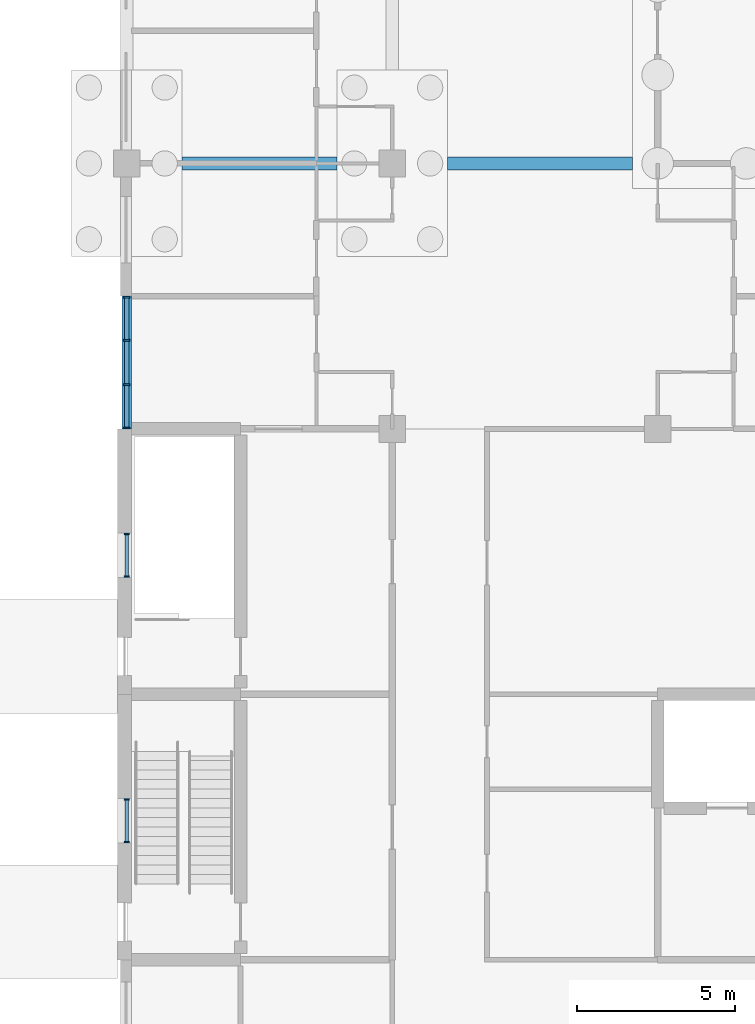
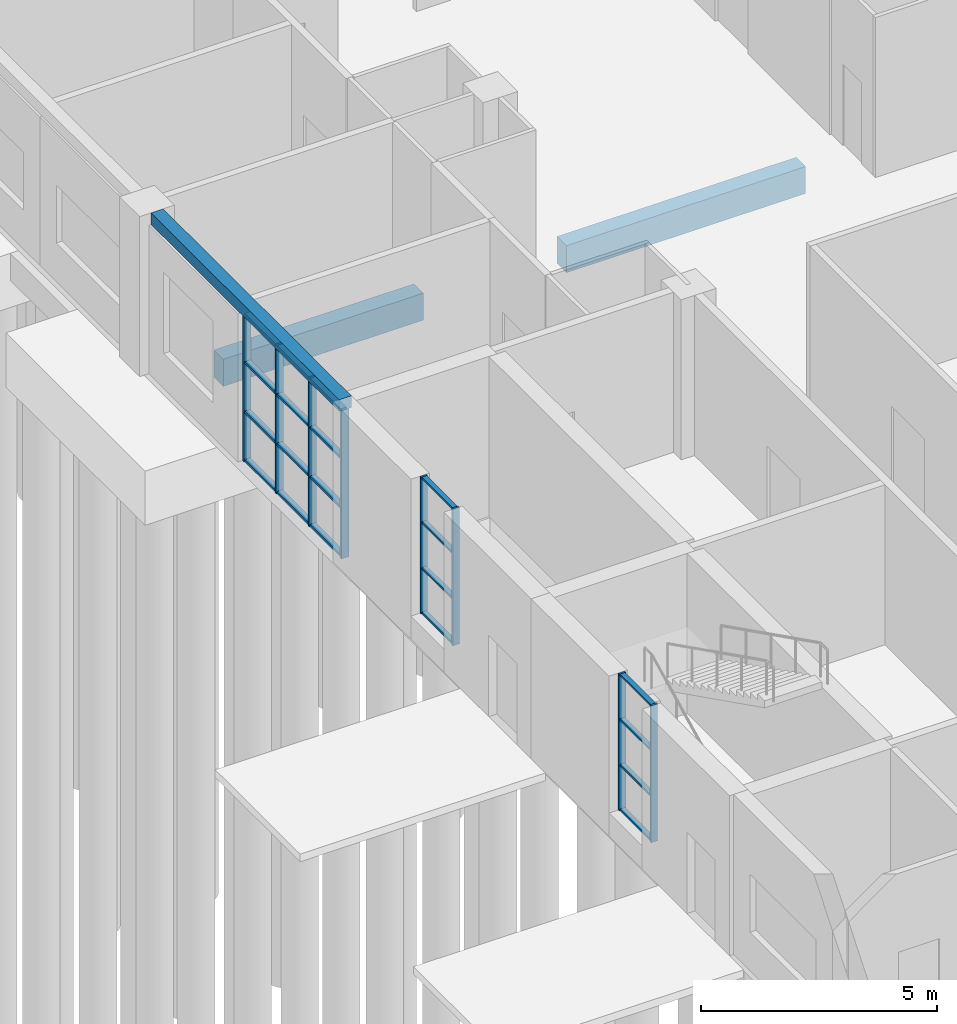
# One storey, part 31 of 138: 28 members, 3 beams, 3 elements without a shape of their own.
"""IFC4 building model written with IfcOpenShell, lengths in metres."""

import ifcopenshell
import ifcopenshell.guid

model = None  # the IFC model being written
_history = None  # IfcOwnerHistory: only IFC2X3 demands one
_inside = {}  # id of a spatial element -> (the spatial element, [elements in it])
_under = {}  # id of a project, library or spatial element -> (it, [spatial elements below it])
_declared = {}  # id of a project -> (the project, [libraries it declares])
_typed = {}  # id of a type object -> (the type object, [elements of that type])
_made_of = {}  # id of a material, layer set ... -> (it, [elements and type objects made of it])


def new_model(schema):
    """Start an empty IFC model of exactly this schema.

    Asked for "IFC4X3", IfcOpenShell would pick the latest addendum, in which some entities
    have other attributes; the version numbers below select the first issue.
    IFC2X3 requires an IfcOwnerHistory on every rooted entity: one is made here for all.
    """
    global model, _history
    if schema == "IFC4X3":
        model = ifcopenshell.file(schema_version=(4, 3, 0, 0))
    else:
        model = ifcopenshell.file(schema=schema)
    _inside.clear()
    _under.clear()
    _declared.clear()
    _typed.clear()
    _made_of.clear()
    _history = None
    if model.schema == "IFC2X3":
        org = make("IfcOrganization", Name="unknown")
        user = make(
            "IfcPersonAndOrganization",
            ThePerson=make("IfcPerson", FamilyName="unknown"),
            TheOrganization=org,
        )
        app = make(
            "IfcApplication",
            ApplicationDeveloper=org,
            Version="unknown",
            ApplicationFullName="unknown",
            ApplicationIdentifier="unknown",
        )
        _history = make(
            "IfcOwnerHistory",
            OwningUser=user,
            OwningApplication=app,
            ChangeAction="ADDED",
            CreationDate=0,
        )
    return model


def make(cls, **values):
    """One entity of the class cls with the attributes given. An attribute that is None is left unset."""
    return model.create_entity(
        cls, **{name: value for name, value in values.items() if value is not None}
    )


def rooted(cls, **values):
    """An entity with a GlobalId (a new one), such as an element, a storey or a relation."""
    return make(cls, GlobalId=ifcopenshell.guid.new(), OwnerHistory=_history, **values)


def si_unit(unit_type, name, prefix=None):
    """IfcSIUnit, for example si_unit("LENGTHUNIT", "METRE", prefix="MILLI")."""
    return make("IfcSIUnit", UnitType=unit_type, Prefix=prefix, Name=name)


def assignment(units):
    """IfcUnitAssignment: the units of a project."""
    return None if units is None else make("IfcUnitAssignment", Units=units)


def point(xyz):
    """IfcCartesianPoint."""
    return None if xyz is None else make("IfcCartesianPoint", Coordinates=xyz)


def direction(xyz):
    """IfcDirection."""
    return None if xyz is None else make("IfcDirection", DirectionRatios=xyz)


def frame(location, z_axis=None, x_axis=None):
    """IfcAxis2Placement3D, a coordinate frame: its origin and axes. An axis left out is left unset."""
    return make(
        "IfcAxis2Placement3D",
        Location=point(location),
        Axis=direction(z_axis),
        RefDirection=direction(x_axis),
    )


def frame_2d(location, x_axis=None):
    """IfcAxis2Placement2D, a coordinate frame in the plane: its origin and x axis."""
    return make(
        "IfcAxis2Placement2D", Location=point(location), RefDirection=direction(x_axis)
    )


def origin():
    """The frame at (0, 0, 0) with its axes left unset."""
    return frame((0.0, 0.0, 0.0))


def origin_2d():
    """The frame at (0, 0) in the plane with its x axis left unset."""
    return frame_2d((0.0, 0.0))


def place(relative_to, where):
    """IfcLocalPlacement: puts the frame where relative to a parent placement (None: the world)."""
    return make(
        "IfcLocalPlacement", PlacementRelTo=relative_to, RelativePlacement=where
    )


def context(
    kind, dimensions, precision=None, world=None, true_north=None, identifier=None
):
    """IfcGeometricRepresentationContext, for example the 3D "Model" context."""
    return make(
        "IfcGeometricRepresentationContext",
        ContextIdentifier=identifier,
        ContextType=kind,
        CoordinateSpaceDimension=dimensions,
        Precision=precision,
        WorldCoordinateSystem=world,
        TrueNorth=true_north,
    )


def subcontext(parent, identifier, kind, view, scale=None):
    """IfcGeometricRepresentationSubContext, for example "Body" below "Model"."""
    return make(
        "IfcGeometricRepresentationSubContext",
        ContextIdentifier=identifier,
        ContextType=kind,
        ParentContext=parent,
        TargetScale=scale,
        TargetView=view,
    )


def project(units=None, contexts=None):
    """IfcProject with its units and contexts."""
    return rooted(
        "IfcProject",
        Name="project",
        RepresentationContexts=contexts,
        UnitsInContext=assignment(units),
    )


def spatial(cls, under=None, at=None, **own):
    """A site, building, storey or space (cls), placed at a placement, below another one or the project."""
    s = rooted(cls, ObjectPlacement=at, **own)
    if under is not None:
        _under.setdefault(under.id(), (under, []))[1].append(s)
    return s


def profile(cls, at=None, kind="AREA", **sizes):
    """A parametric profile (cls). Its sizes go by their IFC names, for example OverallWidth=200.0."""
    return make(cls, ProfileType=kind, Position=at, **sizes)


def rectangle(**sizes):
    """IfcRectangleProfileDef."""
    return profile("IfcRectangleProfileDef", **sizes)


def extrude(swept, where, along, depth):
    """IfcExtrudedAreaSolid: the profile swept, set in the frame where, extruded along a direction by depth."""
    return make(
        "IfcExtrudedAreaSolid",
        SweptArea=swept,
        Position=where,
        ExtrudedDirection=direction(along),
        Depth=depth,
    )


def shape(context_of_items, identifier, shape_type, items):
    """IfcShapeRepresentation: the items that make up one representation, for example the "Body"."""
    return make(
        "IfcShapeRepresentation",
        ContextOfItems=context_of_items,
        RepresentationIdentifier=identifier,
        RepresentationType=shape_type,
        Items=items,
    )


def material(Name=None, Category=None):
    """IfcMaterial."""
    return make("IfcMaterial", Name=Name, Category=Category)


def material_profile(
    of_material, cross_section, Name=None, Category=None, Priority=None
):
    """IfcMaterialProfile: a cross section and its material."""
    return make(
        "IfcMaterialProfile",
        Name=Name,
        Material=of_material,
        Profile=cross_section,
        Priority=Priority,
        Category=Category,
    )


def profile_set(profiles, Name=None, composite=None):
    """IfcMaterialProfileSet."""
    return make(
        "IfcMaterialProfileSet",
        Name=Name,
        MaterialProfiles=profiles,
        CompositeProfile=composite,
    )


def made_of(thing, what):
    """Note that an element or type object is made of a material, layer set ...; save() writes the relation."""
    if what is not None:
        _made_of.setdefault(what.id(), (what, []))[1].append(thing)
    return thing


def type_object(cls, material=None, **own):
    """A type object (cls), such as IfcWallType, which elements share."""
    return made_of(rooted(cls, **own), material)


def element(
    cls,
    number,
    at=None,
    inside=None,
    cuts=None,
    type_object=None,
    material=None,
    context=None,
    identifier="Body",
    shape_type=None,
    held_by="IfcProductDefinitionShape",
    body=None,
    shapes=None,
    **own,
):
    """One element of the class cls, such as IfcWall. Its Tag is "e" and its number.

    at: its placement. inside: the storey or other place that contains it. cuts: it is an
    opening in that element (IfcRelVoidsElement). A single representation is given by context,
    identifier, shape_type and body (its items); several are given by shapes. held_by: the class
    of the entity that holds the representations. save() writes the other relations.
    """
    e = rooted(cls, Tag="e%d" % number, ObjectPlacement=at, **own)
    if body is not None:
        shapes = [shape(context, identifier, shape_type, body)]
    if shapes is not None:
        e.Representation = make(held_by, Representations=shapes)
    if inside is not None:
        _inside.setdefault(inside.id(), (inside, []))[1].append(e)
    if cuts is not None:
        rooted(
            "IfcRelVoidsElement", RelatingBuildingElement=cuts, RelatedOpeningElement=e
        )
    if type_object is not None:
        _typed.setdefault(type_object.id(), (type_object, []))[1].append(e)
    return made_of(e, material)


def aggregate(whole, parts):
    """IfcRelAggregates: a whole, such as a stair, and the parts it consists of."""
    return rooted("IfcRelAggregates", RelatingObject=whole, RelatedObjects=parts)


def save(model, path):
    """Write the relations noted so far, then the file.

    IfcRelAggregates (storeys below a building ...), IfcRelContainedInSpatialStructure (elements
    in a storey), IfcRelDefinesByType, IfcRelAssociatesMaterial and IfcRelDeclares: one each for
    every whole, place, type object, material and project.
    """
    for whole, parts in _under.values():
        aggregate(whole, parts)
    for where, things in _inside.values():
        rooted(
            "IfcRelContainedInSpatialStructure",
            RelatedElements=things,
            RelatingStructure=where,
        )
    for kind, things in _typed.values():
        rooted("IfcRelDefinesByType", RelatedObjects=things, RelatingType=kind)
    for what, things in _made_of.values():
        rooted("IfcRelAssociatesMaterial", RelatedObjects=things, RelatingMaterial=what)
    for by, libraries in _declared.values():
        rooted("IfcRelDeclares", RelatingContext=by, RelatedDefinitions=libraries)
    model.write(path)


model = new_model("IFC4")

# Units and contexts
model_context = context("Model", 3, precision=1e-05, world=origin(), true_north=direction((0.0, 1.0)))
body_context = subcontext(model_context, "Body", "Model", "MODEL_VIEW")
ifc_project = project(units=[si_unit("LENGTHUNIT", "METRE"), si_unit("AREAUNIT", "SQUARE_METRE"), si_unit("VOLUMEUNIT", "CUBIC_METRE"), si_unit("PLANEANGLEUNIT", "RADIAN"), si_unit("MASSUNIT", "GRAM", prefix="KILO")], contexts=[model_context])

# Site, building, storey
site_placement = place(None, origin())
site = spatial("IfcSite", under=ifc_project, at=site_placement, CompositionType="ELEMENT")
building_placement = place(site_placement, origin())
building = spatial("IfcBuilding", under=site, at=building_placement, Name="Yavir Park General Hospital", CompositionType="ELEMENT")
storey_placement = place(building_placement, origin())
storey = spatial("IfcBuildingStorey", under=building, at=storey_placement, Name="L00", CompositionType="ELEMENT", Elevation=0.0)

# Beams
ifc_material_1 = material(Name="Concrete C35/45", Category="concrete")
ifc_material_profile_1 = material_profile(ifc_material_1, rectangle(XDim=0.300048828125, YDim=0.300048828125, at=origin_2d()), Name="RC300x300")
ifc_profile_set_1 = profile_set([ifc_material_profile_1], Name="Concrete C35/45")
beam_type_1 = type_object("IfcBeamType", Name="RC BEAM 300x300 edge beam", PredefinedType="BEAM", material=ifc_profile_set_1)
beam_1_placement = place(storey_placement, frame((0.0, 33.60009765625, 3.989990234375), z_axis=(0.0, 1.0, 0.0), x_axis=(-1.0, 0.0, 0.0)))
element("IfcBeam", 1, at=beam_1_placement, inside=storey, type_object=beam_type_1, Name="B:EDGE:L00:026", PredefinedType="BEAM", context=body_context, shape_type="SweptSolid", body=[
    extrude(rectangle(XDim=0.300048828125, YDim=0.300048828125, at=origin_2d()), origin(), (0.0, 0.0, 1.0), 7.974853515625),
])
ifc_material_2 = material(Name="Concrete C35/45", Category="concrete")
ifc_material_profile_2 = material_profile(ifc_material_2, rectangle(XDim=0.39990234375, YDim=0.699951171875, at=origin_2d()), Name="RC400x700")
ifc_profile_set_2 = profile_set([ifc_material_profile_2], Name="Concrete C35/45")
beam_type_2 = type_object("IfcBeamType", Name="RC BEAM 400x700 ground beam", PredefinedType="BEAM", material=ifc_profile_set_2)
beam_2_placement = place(storey_placement, frame((1.75, 42.0, -0.800048828125), z_axis=(1.0, 0.0, 0.0), x_axis=(0.0, 1.0, 0.0)))
element("IfcBeam", 2, at=beam_2_placement, inside=storey, type_object=beam_type_2, Name="B:GND:L00:1F:L00:2F", PredefinedType="BEAM", context=body_context, shape_type="SweptSolid", body=[
    extrude(rectangle(XDim=0.39990234375, YDim=0.699951171875, at=origin_2d()), origin(), (0.0, 0.0, 1.0), 4.89990234375),
])
beam_3_placement = place(storey_placement, frame((10.14990234375, 42.0, -0.800048828125), z_axis=(1.0, 0.0, 0.0), x_axis=(0.0, 1.0, 0.0)))
element("IfcBeam", 3, at=beam_3_placement, inside=storey, type_object=beam_type_2, Name="B:GND:L00:2F:L00:SW1", PredefinedType="BEAM", context=body_context, shape_type="SweptSolid", body=[
    extrude(rectangle(XDim=0.39990234375, YDim=0.699951171875, at=origin_2d()), origin(), (0.0, 0.0, 1.0), 5.85009765625),
])

# Curtain wall, members
ifc_material_3 = material(Name="Aluminium curtain wall frame with insulated glazing", Category="aluminium")
curtain_wall_type_1 = type_object("IfcCurtainWallType", Name="Reception glazing, 3840 high, 1400 module", PredefinedType="NOTDEFINED", material=ifc_material_3)
curtain_wall_1_placement = place(storey_placement, origin())
curtain_wall_1 = element("IfcCurtainWall", 4, at=curtain_wall_1_placement, inside=storey, type_object=curtain_wall_type_1, Name="CW8 L00-040", PredefinedType="NOTDEFINED")
ifc_material_4 = material(Name="Aluminium", Category="aluminium")
ifc_material_profile_3 = material_profile(ifc_material_4, rectangle(XDim=0.179931640625, YDim=0.06005859375, at=origin_2d()), Name="AL 60x180")
ifc_profile_set_3 = profile_set([ifc_material_profile_3], Name="Aluminium")
member_type_1 = type_object("IfcMemberType", Name="Reception glazing, 3840 high mullion 60 x 180", PredefinedType="MULLION", material=ifc_profile_set_3)
member_1_placement = place(storey_placement, frame((0.0, 33.6298828125, 0.0), z_axis=(0.0, 0.0, 1.0), x_axis=(-1.0, 0.0, 0.0)))
member_1 = element("IfcMember", 5, at=member_1_placement, type_object=member_type_1, Name="CW8 mullion 1", PredefinedType="MULLION", context=body_context, shape_type="SweptSolid", body=[
    extrude(rectangle(XDim=0.179931640625, YDim=0.06005859375, at=origin_2d()), origin(), (0.0, 0.0, 1.0), 3.840087890625),
])
member_2_placement = place(storey_placement, frame((0.0, 35.0, 0.0), z_axis=(0.0, 0.0, 1.0), x_axis=(-1.0, 0.0, 0.0)))
member_2 = element("IfcMember", 6, at=member_2_placement, type_object=member_type_1, Name="CW8 mullion 2", PredefinedType="MULLION", context=body_context, shape_type="SweptSolid", body=[
    extrude(rectangle(XDim=0.179931640625, YDim=0.06005859375, at=origin_2d()), origin(), (0.0, 0.0, 1.0), 3.840087890625),
])
member_3_placement = place(storey_placement, frame((0.0, 36.39990234375, 0.0), z_axis=(0.0, 0.0, 1.0), x_axis=(-1.0, 0.0, 0.0)))
member_3 = element("IfcMember", 7, at=member_3_placement, type_object=member_type_1, Name="CW8 mullion 3", PredefinedType="MULLION", context=body_context, shape_type="SweptSolid", body=[
    extrude(rectangle(XDim=0.179931640625, YDim=0.06005859375, at=origin_2d()), origin(), (0.0, 0.0, 1.0), 3.840087890625),
])
member_4_placement = place(storey_placement, frame((0.0, 37.77001953125, 0.0), z_axis=(0.0, 0.0, 1.0), x_axis=(-1.0, 0.0, 0.0)))
member_4 = element("IfcMember", 8, at=member_4_placement, type_object=member_type_1, Name="CW8 mullion 4", PredefinedType="MULLION", context=body_context, shape_type="SweptSolid", body=[
    extrude(rectangle(XDim=0.179931640625, YDim=0.06005859375, at=origin_2d()), origin(), (0.0, 0.0, 1.0), 3.840087890625),
])
ifc_material_5 = material(Name="Aluminium", Category="aluminium")
ifc_material_profile_4 = material_profile(ifc_material_5, rectangle(XDim=0.139892578125, YDim=0.06005859375, at=origin_2d()), Name="AL 140x60")
ifc_profile_set_4 = profile_set([ifc_material_profile_4], Name="Aluminium")
member_type_2 = type_object("IfcMemberType", Name="Reception glazing, 3840 high transom 60 x 140", PredefinedType="MULLION", material=ifc_profile_set_4)
member_5_placement = place(storey_placement, frame((0.0, 33.659912109375, 0.030029296875), z_axis=(0.0, 1.0, 0.0), x_axis=(-1.0, 0.0, 0.0)))
member_5 = element("IfcMember", 9, at=member_5_placement, type_object=member_type_2, Name="CW8 transom 1.1", PredefinedType="MULLION", context=body_context, shape_type="SweptSolid", body=[
    extrude(rectangle(XDim=0.139892578125, YDim=0.06005859375, at=origin_2d()), origin(), (0.0, 0.0, 1.0), 1.31005859375),
])
member_6_placement = place(storey_placement, frame((0.0, 33.659912109375, 1.280029296875), z_axis=(0.0, 1.0, 0.0), x_axis=(-1.0, 0.0, 0.0)))
member_6 = element("IfcMember", 10, at=member_6_placement, type_object=member_type_2, Name="CW8 transom 1.2", PredefinedType="MULLION", context=body_context, shape_type="SweptSolid", body=[
    extrude(rectangle(XDim=0.139892578125, YDim=0.06005859375, at=origin_2d()), origin(), (0.0, 0.0, 1.0), 1.31005859375),
])
member_7_placement = place(storey_placement, frame((0.0, 33.659912109375, 2.56005859375), z_axis=(0.0, 1.0, 0.0), x_axis=(-1.0, 0.0, 0.0)))
member_7 = element("IfcMember", 11, at=member_7_placement, type_object=member_type_2, Name="CW8 transom 1.3", PredefinedType="MULLION", context=body_context, shape_type="SweptSolid", body=[
    extrude(rectangle(XDim=0.139892578125, YDim=0.06005859375, at=origin_2d()), origin(), (0.0, 0.0, 1.0), 1.31005859375),
])
member_8_placement = place(storey_placement, frame((0.0, 33.659912109375, 3.81005859375), z_axis=(0.0, 1.0, 0.0), x_axis=(-1.0, 0.0, 0.0)))
member_8 = element("IfcMember", 12, at=member_8_placement, type_object=member_type_2, Name="CW8 transom 1.4", PredefinedType="MULLION", context=body_context, shape_type="SweptSolid", body=[
    extrude(rectangle(XDim=0.139892578125, YDim=0.06005859375, at=origin_2d()), origin(), (0.0, 0.0, 1.0), 1.31005859375),
])
member_9_placement = place(storey_placement, frame((0.0, 35.030029296875, 0.030029296875), z_axis=(0.0, 1.0, 0.0), x_axis=(-1.0, 0.0, 0.0)))
member_9 = element("IfcMember", 13, at=member_9_placement, type_object=member_type_2, Name="CW8 transom 2.1", PredefinedType="MULLION", context=body_context, shape_type="SweptSolid", body=[
    extrude(rectangle(XDim=0.139892578125, YDim=0.06005859375, at=origin_2d()), origin(), (0.0, 0.0, 1.0), 1.340087890625),
])
member_10_placement = place(storey_placement, frame((0.0, 35.030029296875, 1.280029296875), z_axis=(0.0, 1.0, 0.0), x_axis=(-1.0, 0.0, 0.0)))
member_10 = element("IfcMember", 14, at=member_10_placement, type_object=member_type_2, Name="CW8 transom 2.2", PredefinedType="MULLION", context=body_context, shape_type="SweptSolid", body=[
    extrude(rectangle(XDim=0.139892578125, YDim=0.06005859375, at=origin_2d()), origin(), (0.0, 0.0, 1.0), 1.340087890625),
])
member_11_placement = place(storey_placement, frame((0.0, 35.030029296875, 2.56005859375), z_axis=(0.0, 1.0, 0.0), x_axis=(-1.0, 0.0, 0.0)))
member_11 = element("IfcMember", 15, at=member_11_placement, type_object=member_type_2, Name="CW8 transom 2.3", PredefinedType="MULLION", context=body_context, shape_type="SweptSolid", body=[
    extrude(rectangle(XDim=0.139892578125, YDim=0.06005859375, at=origin_2d()), origin(), (0.0, 0.0, 1.0), 1.340087890625),
])
member_12_placement = place(storey_placement, frame((0.0, 35.030029296875, 3.81005859375), z_axis=(0.0, 1.0, 0.0), x_axis=(-1.0, 0.0, 0.0)))
member_12 = element("IfcMember", 16, at=member_12_placement, type_object=member_type_2, Name="CW8 transom 2.4", PredefinedType="MULLION", context=body_context, shape_type="SweptSolid", body=[
    extrude(rectangle(XDim=0.139892578125, YDim=0.06005859375, at=origin_2d()), origin(), (0.0, 0.0, 1.0), 1.340087890625),
])
member_13_placement = place(storey_placement, frame((0.0, 36.429931640625, 0.030029296875), z_axis=(0.0, 1.0, 0.0), x_axis=(-1.0, 0.0, 0.0)))
member_13 = element("IfcMember", 17, at=member_13_placement, type_object=member_type_2, Name="CW8 transom 3.1", PredefinedType="MULLION", context=body_context, shape_type="SweptSolid", body=[
    extrude(rectangle(XDim=0.139892578125, YDim=0.06005859375, at=origin_2d()), origin(), (0.0, 0.0, 1.0), 1.31005859375),
])
member_14_placement = place(storey_placement, frame((0.0, 36.429931640625, 1.280029296875), z_axis=(0.0, 1.0, 0.0), x_axis=(-1.0, 0.0, 0.0)))
member_14 = element("IfcMember", 18, at=member_14_placement, type_object=member_type_2, Name="CW8 transom 3.2", PredefinedType="MULLION", context=body_context, shape_type="SweptSolid", body=[
    extrude(rectangle(XDim=0.139892578125, YDim=0.06005859375, at=origin_2d()), origin(), (0.0, 0.0, 1.0), 1.31005859375),
])
member_15_placement = place(storey_placement, frame((0.0, 36.429931640625, 2.56005859375), z_axis=(0.0, 1.0, 0.0), x_axis=(-1.0, 0.0, 0.0)))
member_15 = element("IfcMember", 19, at=member_15_placement, type_object=member_type_2, Name="CW8 transom 3.3", PredefinedType="MULLION", context=body_context, shape_type="SweptSolid", body=[
    extrude(rectangle(XDim=0.139892578125, YDim=0.06005859375, at=origin_2d()), origin(), (0.0, 0.0, 1.0), 1.31005859375),
])
member_16_placement = place(storey_placement, frame((0.0, 36.429931640625, 3.81005859375), z_axis=(0.0, 1.0, 0.0), x_axis=(-1.0, 0.0, 0.0)))
member_16 = element("IfcMember", 20, at=member_16_placement, type_object=member_type_2, Name="CW8 transom 3.4", PredefinedType="MULLION", context=body_context, shape_type="SweptSolid", body=[
    extrude(rectangle(XDim=0.139892578125, YDim=0.06005859375, at=origin_2d()), origin(), (0.0, 0.0, 1.0), 1.31005859375),
])
aggregate(curtain_wall_1, [member_1, member_2, member_3, member_4, member_5, member_6, member_7, member_8, member_9, member_10, member_11, member_12, member_13, member_14, member_15, member_16])

ifc_material_6 = material(Name="Aluminium curtain wall frame with insulated glazing", Category="aluminium")
curtain_wall_type_2 = type_object("IfcCurtainWallType", Name="Stair light slot, ground floor, 3540 high, 1400 module", PredefinedType="NOTDEFINED", material=ifc_material_6)
curtain_wall_2_placement = place(storey_placement, origin())
curtain_wall_2 = element("IfcCurtainWall", 21, at=curtain_wall_2_placement, inside=storey, type_object=curtain_wall_type_2, Name="CW19 L00-038", PredefinedType="NOTDEFINED")
ifc_material_7 = material(Name="Aluminium", Category="aluminium")
ifc_material_profile_5 = material_profile(ifc_material_7, rectangle(XDim=0.159912109375, YDim=0.050048828125, at=origin_2d()), Name="AL 50x160")
ifc_profile_set_5 = profile_set([ifc_material_profile_5], Name="Aluminium")
member_type_3 = type_object("IfcMemberType", Name="Stair light slot, ground floor, 3540 high mullion 50 x 160", PredefinedType="MULLION", material=ifc_profile_set_5)
member_17_placement = place(storey_placement, frame((0.0, 20.52490234375, 0.60009765625), z_axis=(0.0, 0.0, 1.0), x_axis=(-1.0, 0.0, 0.0)))
member_17 = element("IfcMember", 22, at=member_17_placement, type_object=member_type_3, Name="CW19 mullion 1", PredefinedType="MULLION", context=body_context, shape_type="SweptSolid", body=[
    extrude(rectangle(XDim=0.159912109375, YDim=0.050048828125, at=origin_2d()), origin(), (0.0, 0.0, 1.0), 3.539794921875),
])
member_18_placement = place(storey_placement, frame((0.0, 21.875, 0.60009765625), z_axis=(0.0, 0.0, 1.0), x_axis=(-1.0, 0.0, 0.0)))
member_18 = element("IfcMember", 23, at=member_18_placement, type_object=member_type_3, Name="CW19 mullion 2", PredefinedType="MULLION", context=body_context, shape_type="SweptSolid", body=[
    extrude(rectangle(XDim=0.159912109375, YDim=0.050048828125, at=origin_2d()), origin(), (0.0, 0.0, 1.0), 3.539794921875),
])

curtain_wall_3_placement = place(storey_placement, origin())
curtain_wall_3 = element("IfcCurtainWall", 24, at=curtain_wall_3_placement, inside=storey, type_object=curtain_wall_type_2, Name="CW19 L00-039", PredefinedType="NOTDEFINED")
member_19_placement = place(storey_placement, frame((0.0, 28.925048828125, 0.60009765625), z_axis=(0.0, 0.0, 1.0), x_axis=(-1.0, 0.0, 0.0)))
member_19 = element("IfcMember", 25, at=member_19_placement, type_object=member_type_3, Name="CW19 mullion 1", PredefinedType="MULLION", context=body_context, shape_type="SweptSolid", body=[
    extrude(rectangle(XDim=0.159912109375, YDim=0.050048828125, at=origin_2d()), origin(), (0.0, 0.0, 1.0), 3.539794921875),
])
member_20_placement = place(storey_placement, frame((0.0, 30.27490234375, 0.60009765625), z_axis=(0.0, 0.0, 1.0), x_axis=(-1.0, 0.0, 0.0)))
member_20 = element("IfcMember", 26, at=member_20_placement, type_object=member_type_3, Name="CW19 mullion 2", PredefinedType="MULLION", context=body_context, shape_type="SweptSolid", body=[
    extrude(rectangle(XDim=0.159912109375, YDim=0.050048828125, at=origin_2d()), origin(), (0.0, 0.0, 1.0), 3.539794921875),
])

# Member
ifc_material_8 = material(Name="Aluminium", Category="aluminium")
ifc_material_profile_6 = material_profile(ifc_material_8, rectangle(XDim=0.1201171875, YDim=0.050048828125, at=origin_2d()), Name="AL 120x50")
ifc_profile_set_6 = profile_set([ifc_material_profile_6], Name="Aluminium")
member_type_4 = type_object("IfcMemberType", Name="Stair light slot, ground floor, 3540 high transom 50 x 120", PredefinedType="MULLION", material=ifc_profile_set_6)
member_21_placement = place(storey_placement, frame((0.0, 20.550048828125, 0.625), z_axis=(0.0, 1.0, 0.0), x_axis=(-1.0, 0.0, 0.0)))
member_21 = element("IfcMember", 27, at=member_21_placement, type_object=member_type_4, Name="CW19 transom 1.1", PredefinedType="MULLION", context=body_context, shape_type="SweptSolid", body=[
    extrude(rectangle(XDim=0.1201171875, YDim=0.050048828125, at=origin_2d()), origin(), (0.0, 0.0, 1.0), 1.300048828125),
])

member_22_placement = place(storey_placement, frame((0.0, 20.550048828125, 1.780029296875), z_axis=(0.0, 1.0, 0.0), x_axis=(-1.0, 0.0, 0.0)))
member_22 = element("IfcMember", 28, at=member_22_placement, type_object=member_type_4, Name="CW19 transom 1.2", PredefinedType="MULLION", context=body_context, shape_type="SweptSolid", body=[
    extrude(rectangle(XDim=0.1201171875, YDim=0.050048828125, at=origin_2d()), origin(), (0.0, 0.0, 1.0), 1.300048828125),
])

member_23_placement = place(storey_placement, frame((0.0, 20.550048828125, 2.9599609375), z_axis=(0.0, 1.0, 0.0), x_axis=(-1.0, 0.0, 0.0)))
member_23 = element("IfcMember", 29, at=member_23_placement, type_object=member_type_4, Name="CW19 transom 1.3", PredefinedType="MULLION", context=body_context, shape_type="SweptSolid", body=[
    extrude(rectangle(XDim=0.1201171875, YDim=0.050048828125, at=origin_2d()), origin(), (0.0, 0.0, 1.0), 1.300048828125),
])

member_24_placement = place(storey_placement, frame((0.0, 20.550048828125, 4.114990234375), z_axis=(0.0, 1.0, 0.0), x_axis=(-1.0, 0.0, 0.0)))
member_24 = element("IfcMember", 30, at=member_24_placement, type_object=member_type_4, Name="CW19 transom 1.4", PredefinedType="MULLION", context=body_context, shape_type="SweptSolid", body=[
    extrude(rectangle(XDim=0.1201171875, YDim=0.050048828125, at=origin_2d()), origin(), (0.0, 0.0, 1.0), 1.300048828125),
])

aggregate(curtain_wall_2, [member_17, member_18, member_21, member_22, member_23, member_24])

member_25_placement = place(storey_placement, frame((0.0, 28.949951171875, 0.625), z_axis=(0.0, 1.0, 0.0), x_axis=(-1.0, 0.0, 0.0)))
member_25 = element("IfcMember", 31, at=member_25_placement, type_object=member_type_4, Name="CW19 transom 1.1", PredefinedType="MULLION", context=body_context, shape_type="SweptSolid", body=[
    extrude(rectangle(XDim=0.1201171875, YDim=0.050048828125, at=origin_2d()), origin(), (0.0, 0.0, 1.0), 1.300048828125),
])

member_26_placement = place(storey_placement, frame((0.0, 28.949951171875, 1.780029296875), z_axis=(0.0, 1.0, 0.0), x_axis=(-1.0, 0.0, 0.0)))
member_26 = element("IfcMember", 32, at=member_26_placement, type_object=member_type_4, Name="CW19 transom 1.2", PredefinedType="MULLION", context=body_context, shape_type="SweptSolid", body=[
    extrude(rectangle(XDim=0.1201171875, YDim=0.050048828125, at=origin_2d()), origin(), (0.0, 0.0, 1.0), 1.300048828125),
])

member_27_placement = place(storey_placement, frame((0.0, 28.949951171875, 2.9599609375), z_axis=(0.0, 1.0, 0.0), x_axis=(-1.0, 0.0, 0.0)))
member_27 = element("IfcMember", 33, at=member_27_placement, type_object=member_type_4, Name="CW19 transom 1.3", PredefinedType="MULLION", context=body_context, shape_type="SweptSolid", body=[
    extrude(rectangle(XDim=0.1201171875, YDim=0.050048828125, at=origin_2d()), origin(), (0.0, 0.0, 1.0), 1.300048828125),
])

member_28_placement = place(storey_placement, frame((0.0, 28.949951171875, 4.114990234375), z_axis=(0.0, 1.0, 0.0), x_axis=(-1.0, 0.0, 0.0)))
member_28 = element("IfcMember", 34, at=member_28_placement, type_object=member_type_4, Name="CW19 transom 1.4", PredefinedType="MULLION", context=body_context, shape_type="SweptSolid", body=[
    extrude(rectangle(XDim=0.1201171875, YDim=0.050048828125, at=origin_2d()), origin(), (0.0, 0.0, 1.0), 1.300048828125),
])

aggregate(curtain_wall_3, [member_19, member_20, member_25, member_26, member_27, member_28])

save(model, "model.ifc")
